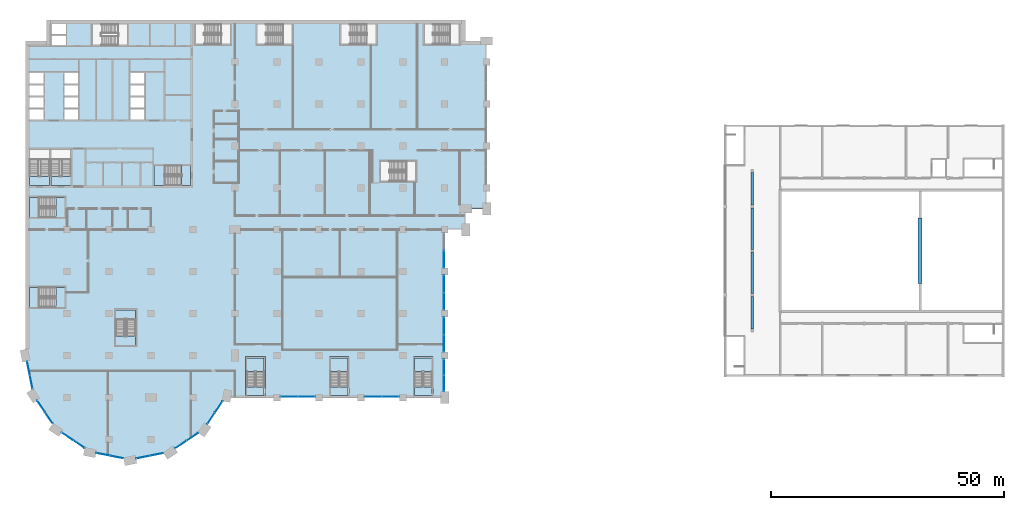
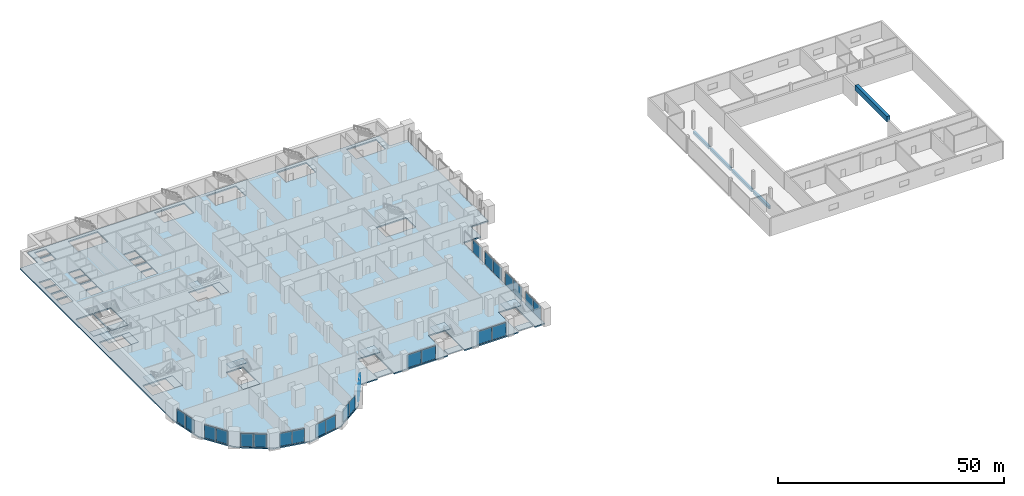
# One storey, part 8 of 31: 25 plates, 17 slabs, 5 beams, 20 elements without a shape of their own.
"""IFC4 building model written with IfcOpenShell, lengths in metres."""

from ifc_helpers import new_model, si_unit, direction, frame, origin, origin_2d, place, context, subcontext, project, spatial, polyline, rectangle, outline, extrude, material, layer, layer_set, material_profile, profile_set, type_object, element, aggregate, save


model = new_model("IFC4")

# Units and contexts
model_context = context("Model", 3, precision=1e-05, world=origin(), true_north=direction((0.0, 1.0)))
body_context = subcontext(model_context, "Body", "Model", "MODEL_VIEW")
ifc_project = project(units=[si_unit("LENGTHUNIT", "METRE"), si_unit("AREAUNIT", "SQUARE_METRE"), si_unit("VOLUMEUNIT", "CUBIC_METRE"), si_unit("PLANEANGLEUNIT", "RADIAN"), si_unit("MASSUNIT", "GRAM", prefix="KILO")], contexts=[model_context])

# Site, building, storey
site_placement = place(None, origin())
site = spatial("IfcSite", under=ifc_project, at=site_placement, CompositionType="ELEMENT")
building_placement = place(site_placement, origin())
building = spatial("IfcBuilding", under=site, at=building_placement, Name="Hunhe Ridgeline Campus", CompositionType="ELEMENT")
storey_placement = place(building_placement, frame((0.0, 0.0, 16.800048828125)))
storey = spatial("IfcBuildingStorey", under=building, at=storey_placement, Name="L03", CompositionType="ELEMENT", Elevation=16.800048828125)

# Beams
ifc_material_1 = material(Name="Concrete C40", Category="concrete")
ifc_material_profile_1 = material_profile(ifc_material_1, rectangle(XDim=0.5, YDim=0.800048828125, at=origin_2d()))
ifc_profile_set_1 = profile_set([ifc_material_profile_1], Name="Concrete C40")
beam_type_1 = type_object("IfcBeamType", Name="Hall RC gallery edge beam 500x800 C40", PredefinedType="BEAM", material=ifc_profile_set_1)
beam_1_placement = place(storey_placement, frame((156.0, 32.699951171875, -0.75), z_axis=(0.0, 1.0, 0.0), x_axis=(-1.0, 0.0, 0.0)))
element("IfcBeam", 1, at=beam_1_placement, inside=storey, type_object=beam_type_1, Name="Hall L03 gallery edge beam 1", PredefinedType="BEAM", context=body_context, shape_type="SweptSolid", body=[
    extrude(rectangle(XDim=0.5, YDim=0.800048828125, at=origin_2d()), origin(), (0.0, 0.0, 1.0), 7.0),
])
for number, where, z_axis, x_axis, name in (
    (2, (156.0, 40.300048828125, -0.75), (0.0, 1.0, 0.0), (-1.0, 0.0, 0.0), "Hall L03 gallery edge beam 2"),
    (3, (156.0, 49.800048828125, -0.75), (0.0, 1.0, 0.0), (-1.0, 0.0, 0.0), "Hall L03 gallery edge beam 3"),
):
    element("IfcBeam", number, at=place(storey_placement, frame(where, z_axis=z_axis, x_axis=x_axis)), inside=storey, type_object=beam_type_1, Name=name, PredefinedType="BEAM", context=body_context, shape_type="SweptSolid", body=[
        extrude(rectangle(XDim=0.5, YDim=0.800048828125, at=origin_2d()), origin(), (0.0, 0.0, 1.0), 8.89990234375),
    ])
beam_2_placement = place(storey_placement, frame((156.0, 59.300048828125, -0.75), z_axis=(0.0, 1.0, 0.0), x_axis=(-1.0, 0.0, 0.0)))
element("IfcBeam", 4, at=beam_2_placement, inside=storey, type_object=beam_type_1, Name="Hall L03 gallery edge beam 4", PredefinedType="BEAM", context=body_context, shape_type="SweptSolid", body=[
    extrude(rectangle(XDim=0.5, YDim=0.800048828125, at=origin_2d()), origin(), (0.0, 0.0, 1.0), 7.0),
])
ifc_material_2 = material(Name="Concrete C50", Category="concrete")
ifc_material_profile_2 = material_profile(ifc_material_2, rectangle(XDim=0.800048828125, YDim=1.5, at=origin_2d()))
ifc_profile_set_2 = profile_set([ifc_material_profile_2], Name="Concrete C50")
beam_type_2 = type_object("IfcBeamType", Name="Hall RC proscenium beam 800x1500 C50", PredefinedType="BEAM", material=ifc_profile_set_2)
beam_3_placement = place(storey_placement, frame((192.0, 42.5, 4.64990234375), z_axis=(0.0, 1.0, 0.0), x_axis=(-1.0, 0.0, 0.0)))
element("IfcBeam", 5, at=beam_3_placement, inside=storey, type_object=beam_type_2, Name="Proscenium beam", PredefinedType="BEAM", context=body_context, shape_type="SweptSolid", body=[
    extrude(rectangle(XDim=0.800048828125, YDim=1.5, at=origin_2d()), origin(), (0.0, 0.0, 1.0), 14.0),
])

# Curtain wall, plates
ifc_material_3 = material(Name="Aluminium and glass", Category="aluminium")
curtain_wall_type = type_object("IfcCurtainWallType", Name="Podium curtain wall CW-2", PredefinedType="NOTDEFINED", material=ifc_material_3)
curtain_wall_1_placement = place(storey_placement, origin())
curtain_wall_1 = element("IfcCurtainWall", 6, at=curtain_wall_1_placement, inside=storey, type_object=curtain_wall_type, Name="L03 podium curtain wall 9", PredefinedType="NOTDEFINED")
ifc_material_4 = material(Name="Clear glass", Category="glass")
ifc_layer_1 = layer(ifc_material_4, 0.028076171875)
ifc_layer_set_1 = layer_set([ifc_layer_1], Name="CW-2 clear glass panel 28")
plate_type = type_object("IfcPlateType", Name="CW-2 clear glass panel 28", PredefinedType="CURTAIN_PANEL", material=ifc_layer_set_1)
plate_1_placement = place(storey_placement, frame((0.69677734375, 24.265869140625, 0.06005859375), z_axis=(0.0, 0.0, 1.0), x_axis=(0.195098458454, -0.98078366193, 0.0)))
plate_1 = element("IfcPlate", 7, at=plate_1_placement, type_object=plate_type, Name="CW2 panel 1.1", PredefinedType="CURTAIN_PANEL", context=body_context, shape_type="SweptSolid", body=[
    extrude(rectangle(XDim=2.914794921875, YDim=0.028076171875, at=origin_2d()), origin(), (0.0, 0.0, 1.0), 3.530029296875),
])
plate_2_placement = place(storey_placement, frame((1.277099609375, 21.34814453125, 0.06005859375), z_axis=(0.0, 0.0, 1.0), x_axis=(0.195098458454, -0.98078366193, 0.0)))
plate_2 = element("IfcPlate", 8, at=plate_2_placement, type_object=plate_type, Name="CW2 panel 2.1", PredefinedType="CURTAIN_PANEL", context=body_context, shape_type="SweptSolid", body=[
    extrude(rectangle(XDim=2.914794921875, YDim=0.028076171875, at=origin_2d()), origin(), (0.0, 0.0, 1.0), 3.530029296875),
])
aggregate(curtain_wall_1, [plate_1, plate_2])

curtain_wall_2_placement = place(storey_placement, origin())
curtain_wall_2 = element("IfcCurtainWall", 9, at=curtain_wall_2_placement, inside=storey, type_object=curtain_wall_type, Name="L03 podium curtain wall 10", PredefinedType="NOTDEFINED")
plate_3_placement = place(storey_placement, frame((3.40283203125, 16.13037109375, 0.06005859375), z_axis=(0.0, 0.0, 1.0), x_axis=(0.555579224709, -0.831463604177, 0.0)))
plate_3 = element("IfcPlate", 10, at=plate_3_placement, type_object=plate_type, Name="CW2 panel 1.1", PredefinedType="CURTAIN_PANEL", context=body_context, shape_type="SweptSolid", body=[
    extrude(rectangle(XDim=2.914794921875, YDim=0.028076171875, at=origin_2d()), origin(), (0.0, 0.0, 1.0), 3.530029296875),
])
plate_4_placement = place(storey_placement, frame((5.055419921875, 13.65673828125, 0.06005859375), z_axis=(0.0, 0.0, 1.0), x_axis=(0.555579224709, -0.831463604177, 0.0)))
plate_4 = element("IfcPlate", 11, at=plate_4_placement, type_object=plate_type, Name="CW2 panel 2.1", PredefinedType="CURTAIN_PANEL", context=body_context, shape_type="SweptSolid", body=[
    extrude(rectangle(XDim=2.914794921875, YDim=0.028076171875, at=origin_2d()), origin(), (0.0, 0.0, 1.0), 3.530029296875),
])
aggregate(curtain_wall_2, [plate_3, plate_4])

curtain_wall_3_placement = place(storey_placement, origin())
curtain_wall_3 = element("IfcCurtainWall", 12, at=curtain_wall_3_placement, inside=storey, type_object=curtain_wall_type, Name="L03 podium curtain wall 11", PredefinedType="NOTDEFINED")
plate_5_placement = place(storey_placement, frame((9.01611328125, 9.649658203125, 0.06005859375), z_axis=(0.0, 0.0, 1.0), x_axis=(0.831468740176, -0.555571538247, 0.0)))
plate_5 = element("IfcPlate", 13, at=plate_5_placement, type_object=plate_type, Name="CW2 panel 1.1", PredefinedType="CURTAIN_PANEL", context=body_context, shape_type="SweptSolid", body=[
    extrude(rectangle(XDim=2.9150390625, YDim=0.028076171875, at=origin_2d()), origin(), (0.0, 0.0, 1.0), 3.530029296875),
])
plate_6_placement = place(storey_placement, frame((11.489501953125, 7.996826171875, 0.06005859375), z_axis=(0.0, 0.0, 1.0), x_axis=(0.831468740176, -0.555571538247, 0.0)))
plate_6 = element("IfcPlate", 14, at=plate_6_placement, type_object=plate_type, Name="CW2 panel 2.1", PredefinedType="CURTAIN_PANEL", context=body_context, shape_type="SweptSolid", body=[
    extrude(rectangle(XDim=2.9150390625, YDim=0.028076171875, at=origin_2d()), origin(), (0.0, 0.0, 1.0), 3.530029296875),
])
aggregate(curtain_wall_3, [plate_5, plate_6])

curtain_wall_4_placement = place(storey_placement, origin())
curtain_wall_4 = element("IfcCurtainWall", 15, at=curtain_wall_4_placement, inside=storey, type_object=curtain_wall_type, Name="L03 podium curtain wall 12", PredefinedType="NOTDEFINED")
plate_7_placement = place(storey_placement, frame((16.68212890625, 5.81005859375, 0.06005859375), z_axis=(0.0, 0.0, 1.0), x_axis=(0.980787479014, -0.195079268527, 0.0)))
plate_7 = element("IfcPlate", 16, at=plate_7_placement, type_object=plate_type, Name="CW2 panel 1.1", PredefinedType="CURTAIN_PANEL", context=body_context, shape_type="SweptSolid", body=[
    extrude(rectangle(XDim=2.9150390625, YDim=0.028076171875, at=origin_2d()), origin(), (0.0, 0.0, 1.0), 3.530029296875),
])
plate_8_placement = place(storey_placement, frame((19.60009765625, 5.229736328125, 0.06005859375), z_axis=(0.0, 0.0, 1.0), x_axis=(0.980787479014, -0.195079268527, 0.0)))
plate_8 = element("IfcPlate", 17, at=plate_8_placement, type_object=plate_type, Name="CW2 panel 2.1", PredefinedType="CURTAIN_PANEL", context=body_context, shape_type="SweptSolid", body=[
    extrude(rectangle(XDim=2.9150390625, YDim=0.028076171875, at=origin_2d()), origin(), (0.0, 0.0, 1.0), 3.530029296875),
])
aggregate(curtain_wall_4, [plate_7, plate_8])

curtain_wall_5_placement = place(storey_placement, origin())
curtain_wall_5 = element("IfcCurtainWall", 18, at=curtain_wall_5_placement, inside=storey, type_object=curtain_wall_type, Name="L03 podium curtain wall 13", PredefinedType="NOTDEFINED")
plate_9_placement = place(storey_placement, frame((25.234130859375, 5.19677734375, 0.06005859375), z_axis=(0.0, 0.0, 1.0), x_axis=(0.98078366193, 0.195098458454, 0.0)))
plate_9 = element("IfcPlate", 19, at=plate_9_placement, type_object=plate_type, Name="CW2 panel 1.1", PredefinedType="CURTAIN_PANEL", context=body_context, shape_type="SweptSolid", body=[
    extrude(rectangle(XDim=2.914794921875, YDim=0.028076171875, at=origin_2d()), origin(), (0.0, 0.0, 1.0), 3.530029296875),
])
plate_10_placement = place(storey_placement, frame((28.15185546875, 5.777099609375, 0.06005859375), z_axis=(0.0, 0.0, 1.0), x_axis=(0.98078366193, 0.195098458454, 0.0)))
plate_10 = element("IfcPlate", 20, at=plate_10_placement, type_object=plate_type, Name="CW2 panel 2.1", PredefinedType="CURTAIN_PANEL", context=body_context, shape_type="SweptSolid", body=[
    extrude(rectangle(XDim=2.914794921875, YDim=0.028076171875, at=origin_2d()), origin(), (0.0, 0.0, 1.0), 3.530029296875),
])
aggregate(curtain_wall_5, [plate_9, plate_10])

curtain_wall_6_placement = place(storey_placement, origin())
curtain_wall_6 = element("IfcCurtainWall", 21, at=curtain_wall_6_placement, inside=storey, type_object=curtain_wall_type, Name="L03 podium curtain wall 14", PredefinedType="NOTDEFINED")
plate_11_placement = place(storey_placement, frame((33.36962890625, 7.90283203125, 0.06005859375), z_axis=(0.0, 0.0, 1.0), x_axis=(0.831463604177, 0.555579224709, 0.0)))
plate_11 = element("IfcPlate", 22, at=plate_11_placement, type_object=plate_type, Name="CW2 panel 1.1", PredefinedType="CURTAIN_PANEL", context=body_context, shape_type="SweptSolid", body=[
    extrude(rectangle(XDim=2.914794921875, YDim=0.028076171875, at=origin_2d()), origin(), (0.0, 0.0, 1.0), 3.530029296875),
])
plate_12_placement = place(storey_placement, frame((35.84326171875, 9.555419921875, 0.06005859375), z_axis=(0.0, 0.0, 1.0), x_axis=(0.831463604177, 0.555579224709, 0.0)))
plate_12 = element("IfcPlate", 23, at=plate_12_placement, type_object=plate_type, Name="CW2 panel 2.1", PredefinedType="CURTAIN_PANEL", context=body_context, shape_type="SweptSolid", body=[
    extrude(rectangle(XDim=2.914794921875, YDim=0.028076171875, at=origin_2d()), origin(), (0.0, 0.0, 1.0), 3.530029296875),
])
aggregate(curtain_wall_6, [plate_11, plate_12])

curtain_wall_7_placement = place(storey_placement, origin())
curtain_wall_7 = element("IfcCurtainWall", 24, at=curtain_wall_7_placement, inside=storey, type_object=curtain_wall_type, Name="L03 podium curtain wall 15", PredefinedType="NOTDEFINED")
plate_13_placement = place(storey_placement, frame((39.850341796875, 13.51611328125, 0.06005859375), z_axis=(0.0, 0.0, 1.0), x_axis=(0.555571538247, 0.831468740176, 0.0)))
plate_13 = element("IfcPlate", 25, at=plate_13_placement, type_object=plate_type, Name="CW2 panel 1.1", PredefinedType="CURTAIN_PANEL", context=body_context, shape_type="SweptSolid", body=[
    extrude(rectangle(XDim=2.9150390625, YDim=0.028076171875, at=origin_2d()), origin(), (0.0, 0.0, 1.0), 3.530029296875),
])
plate_14_placement = place(storey_placement, frame((41.503173828125, 15.989501953125, 0.06005859375), z_axis=(0.0, 0.0, 1.0), x_axis=(0.555571538247, 0.831468740176, 0.0)))
plate_14 = element("IfcPlate", 26, at=plate_14_placement, type_object=plate_type, Name="CW2 panel 2.1", PredefinedType="CURTAIN_PANEL", context=body_context, shape_type="SweptSolid", body=[
    extrude(rectangle(XDim=2.9150390625, YDim=0.028076171875, at=origin_2d()), origin(), (0.0, 0.0, 1.0), 3.530029296875),
])
aggregate(curtain_wall_7, [plate_13, plate_14])

curtain_wall_8_placement = place(storey_placement, origin())
curtain_wall_8 = element("IfcCurtainWall", 27, at=curtain_wall_8_placement, inside=storey, type_object=curtain_wall_type, Name="L03 podium curtain wall 17", PredefinedType="NOTDEFINED")
plate_15_placement = place(storey_placement, frame((56.639892578125, 18.14990234375, 0.06005859375), z_axis=(0.0, 0.0, 1.0), x_axis=(1.0, 0.0, 0.0)))
plate_15 = element("IfcPlate", 28, at=plate_15_placement, type_object=plate_type, Name="CW2 panel 1.1", PredefinedType="CURTAIN_PANEL", context=body_context, shape_type="SweptSolid", body=[
    extrude(rectangle(XDim=3.659912109375, YDim=0.028076171875, at=origin_2d()), origin(), (0.0, 0.0, 1.0), 3.530029296875),
])
plate_16_placement = place(storey_placement, frame((60.360107421875, 18.14990234375, 0.06005859375), z_axis=(0.0, 0.0, 1.0), x_axis=(1.0, 0.0, 0.0)))
plate_16 = element("IfcPlate", 29, at=plate_16_placement, type_object=plate_type, Name="CW2 panel 2.1", PredefinedType="CURTAIN_PANEL", context=body_context, shape_type="SweptSolid", body=[
    extrude(rectangle(XDim=3.659912109375, YDim=0.028076171875, at=origin_2d()), origin(), (0.0, 0.0, 1.0), 3.530029296875),
])
aggregate(curtain_wall_8, [plate_15, plate_16])

curtain_wall_9_placement = place(storey_placement, origin())
curtain_wall_9 = element("IfcCurtainWall", 30, at=curtain_wall_9_placement, inside=storey, type_object=curtain_wall_type, Name="L03 podium curtain wall 19", PredefinedType="NOTDEFINED")
plate_17_placement = place(storey_placement, frame((74.639892578125, 18.14990234375, 0.06005859375), z_axis=(0.0, 0.0, 1.0), x_axis=(1.0, 0.0, 0.0)))
plate_17 = element("IfcPlate", 31, at=plate_17_placement, type_object=plate_type, Name="CW2 panel 1.1", PredefinedType="CURTAIN_PANEL", context=body_context, shape_type="SweptSolid", body=[
    extrude(rectangle(XDim=3.659912109375, YDim=0.028076171875, at=origin_2d()), origin(), (0.0, 0.0, 1.0), 3.530029296875),
])
plate_18_placement = place(storey_placement, frame((78.360107421875, 18.14990234375, 0.06005859375), z_axis=(0.0, 0.0, 1.0), x_axis=(1.0, 0.0, 0.0)))
plate_18 = element("IfcPlate", 32, at=plate_18_placement, type_object=plate_type, Name="CW2 panel 2.1", PredefinedType="CURTAIN_PANEL", context=body_context, shape_type="SweptSolid", body=[
    extrude(rectangle(XDim=3.659912109375, YDim=0.028076171875, at=origin_2d()), origin(), (0.0, 0.0, 1.0), 3.530029296875),
])
aggregate(curtain_wall_9, [plate_17, plate_18])

curtain_wall_10_placement = place(storey_placement, origin())
curtain_wall_10 = element("IfcCurtainWall", 33, at=curtain_wall_10_placement, inside=storey, type_object=curtain_wall_type, Name="L03 podium curtain wall 21", PredefinedType="NOTDEFINED")
plate_19_placement = place(storey_placement, frame((89.85009765625, 21.052490234375, 0.06005859375), z_axis=(0.0, 0.0, 1.0), x_axis=(0.0, 1.0, 0.0)))
plate_19 = element("IfcPlate", 34, at=plate_19_placement, type_object=plate_type, Name="CW2 panel 1.1", PredefinedType="CURTAIN_PANEL", context=body_context, shape_type="SweptSolid", body=[
    extrude(rectangle(XDim=3.385009765625, YDim=0.028076171875, at=origin_2d()), origin(), (0.0, 0.0, 1.0), 3.530029296875),
])
plate_20_placement = place(storey_placement, frame((89.85009765625, 24.49755859375, 0.06005859375), z_axis=(0.0, 0.0, 1.0), x_axis=(0.0, 1.0, 0.0)))
plate_20 = element("IfcPlate", 35, at=plate_20_placement, type_object=plate_type, Name="CW2 panel 2.1", PredefinedType="CURTAIN_PANEL", context=body_context, shape_type="SweptSolid", body=[
    extrude(rectangle(XDim=3.385009765625, YDim=0.028076171875, at=origin_2d()), origin(), (0.0, 0.0, 1.0), 3.530029296875),
])
aggregate(curtain_wall_10, [plate_19, plate_20])

curtain_wall_11_placement = place(storey_placement, origin())
curtain_wall_11 = element("IfcCurtainWall", 36, at=curtain_wall_11_placement, inside=storey, type_object=curtain_wall_type, Name="L03 podium curtain wall 22", PredefinedType="NOTDEFINED")
plate_21_placement = place(storey_placement, frame((89.85009765625, 29.639892578125, 0.06005859375), z_axis=(0.0, 0.0, 1.0), x_axis=(0.0, 1.0, 0.0)))
plate_21 = element("IfcPlate", 37, at=plate_21_placement, type_object=plate_type, Name="CW2 panel 1.1", PredefinedType="CURTAIN_PANEL", context=body_context, shape_type="SweptSolid", body=[
    extrude(rectangle(XDim=3.659912109375, YDim=0.028076171875, at=origin_2d()), origin(), (0.0, 0.0, 1.0), 3.530029296875),
])
plate_22_placement = place(storey_placement, frame((89.85009765625, 33.360107421875, 0.06005859375), z_axis=(0.0, 0.0, 1.0), x_axis=(0.0, 1.0, 0.0)))
plate_22 = element("IfcPlate", 38, at=plate_22_placement, type_object=plate_type, Name="CW2 panel 2.1", PredefinedType="CURTAIN_PANEL", context=body_context, shape_type="SweptSolid", body=[
    extrude(rectangle(XDim=3.659912109375, YDim=0.028076171875, at=origin_2d()), origin(), (0.0, 0.0, 1.0), 3.530029296875),
])
aggregate(curtain_wall_11, [plate_21, plate_22])

curtain_wall_12_placement = place(storey_placement, origin())
curtain_wall_12 = element("IfcCurtainWall", 39, at=curtain_wall_12_placement, inside=storey, type_object=curtain_wall_type, Name="L03 podium curtain wall 23", PredefinedType="NOTDEFINED")
plate_23_placement = place(storey_placement, frame((89.85009765625, 38.639892578125, 0.06005859375), z_axis=(0.0, 0.0, 1.0), x_axis=(0.0, 1.0, 0.0)))
plate_23 = element("IfcPlate", 40, at=plate_23_placement, type_object=plate_type, Name="CW2 panel 1.1", PredefinedType="CURTAIN_PANEL", context=body_context, shape_type="SweptSolid", body=[
    extrude(rectangle(XDim=3.659912109375, YDim=0.028076171875, at=origin_2d()), origin(), (0.0, 0.0, 1.0), 3.530029296875),
])
plate_24_placement = place(storey_placement, frame((89.85009765625, 42.360107421875, 0.06005859375), z_axis=(0.0, 0.0, 1.0), x_axis=(0.0, 1.0, 0.0)))
plate_24 = element("IfcPlate", 41, at=plate_24_placement, type_object=plate_type, Name="CW2 panel 2.1", PredefinedType="CURTAIN_PANEL", context=body_context, shape_type="SweptSolid", body=[
    extrude(rectangle(XDim=3.659912109375, YDim=0.028076171875, at=origin_2d()), origin(), (0.0, 0.0, 1.0), 3.530029296875),
])
aggregate(curtain_wall_12, [plate_23, plate_24])

# Curtain wall, plate
curtain_wall_13_placement = place(storey_placement, origin())
curtain_wall_13 = element("IfcCurtainWall", 42, at=curtain_wall_13_placement, inside=storey, type_object=curtain_wall_type, Name="L03 podium curtain wall 24", PredefinedType="NOTDEFINED")
plate_25_placement = place(storey_placement, frame((89.85009765625, 47.639892578125, 0.06005859375), z_axis=(0.0, 0.0, 1.0), x_axis=(0.0, 1.0, 0.0)))
plate_25 = element("IfcPlate", 43, at=plate_25_placement, type_object=plate_type, Name="CW2 panel 1.1", PredefinedType="CURTAIN_PANEL", context=body_context, shape_type="SweptSolid", body=[
    extrude(rectangle(XDim=3.659912109375, YDim=0.028076171875, at=origin_2d()), origin(), (0.0, 0.0, 1.0), 3.530029296875),
])
aggregate(curtain_wall_13, [plate_25])

# Slab
ifc_layer_2 = layer(ifc_material_1, 0.35009765625)
ifc_layer_set_2 = layer_set([ifc_layer_2], Name="Podium floor slab 350 C40")
slab_type_1 = type_object("IfcSlabType", Name="Podium floor slab 350 C40", PredefinedType="FLOOR", material=ifc_layer_set_2)
slab_1_placement = place(storey_placement, frame((0.0, 0.0, -0.35009765625)))
element("IfcSlab", 44, at=slab_1_placement, inside=storey, type_object=slab_type_1, Name="L03 floor slab 1", PredefinedType="FLOOR", context=body_context, shape_type="SweptSolid", body=[
    extrude(outline(polyline([(90.0, 18.0), (90.0, 54.0), (94.5, 54.0), (94.5, 58.5), (99.0, 58.5), (99.0, 94.5), (94.5, 94.5), (94.5, 99.0), (4.5, 99.0), (4.5, 94.5), (0.0, 94.5), (0.0, 27.0), (1.712646484375, 18.3896484375), (6.590087890625, 11.090087890625), (13.8896484375, 6.212646484375), (22.5, 4.5), (31.1103515625, 6.212646484375), (38.409912109375, 11.090087890625), (43.027099609375, 18.0), (47.25, 18.0), (47.25, 26.75), (51.5, 26.75), (51.5, 18.0), (65.25, 18.0), (65.25, 26.75), (69.5, 26.75), (69.5, 18.0), (83.25, 18.0), (83.25, 26.75), (87.5, 26.75), (87.5, 18.0), (90.0, 18.0)]), holes=[polyline([(0.89990234375, 41.64990234375), (0.89990234375, 37.35009765625), (8.5, 37.35009765625), (8.5, 41.64990234375), (0.89990234375, 41.64990234375)]), polyline([(8.5, 60.949951171875), (0.89990234375, 60.949951171875), (0.89990234375, 56.64990234375), (8.5, 56.64990234375), (8.5, 60.949951171875)]), polyline([(5.199951171875, 63.5), (5.199951171875, 71.25), (0.89990234375, 71.25), (0.89990234375, 63.5), (5.199951171875, 63.5)]), polyline([(9.800048828125, 63.5), (9.800048828125, 71.25), (5.5, 71.25), (5.5, 63.5), (9.800048828125, 63.5)]), polyline([(0.89990234375, 77.550048828125), (3.89990234375, 77.550048828125), (3.89990234375, 79.85009765625), (0.89990234375, 79.85009765625), (0.89990234375, 77.550048828125)]), polyline([(8.39990234375, 77.550048828125), (11.39990234375, 77.550048828125), (11.39990234375, 79.85009765625), (8.39990234375, 79.85009765625), (8.39990234375, 77.550048828125)]), polyline([(0.89990234375, 80.14990234375), (3.89990234375, 80.14990234375), (3.89990234375, 82.449951171875), (0.89990234375, 82.449951171875), (0.89990234375, 80.14990234375)]), polyline([(11.39990234375, 80.14990234375), (11.39990234375, 82.449951171875), (8.39990234375, 82.449951171875), (8.39990234375, 80.14990234375), (11.39990234375, 80.14990234375)]), polyline([(0.89990234375, 82.75), (3.89990234375, 82.75), (3.89990234375, 85.050048828125), (0.89990234375, 85.050048828125), (0.89990234375, 82.75)]), polyline([(8.39990234375, 82.75), (11.39990234375, 82.75), (11.39990234375, 85.050048828125), (8.39990234375, 85.050048828125), (8.39990234375, 82.75)]), polyline([(0.89990234375, 85.35009765625), (3.89990234375, 85.35009765625), (3.89990234375, 87.64990234375), (0.89990234375, 87.64990234375), (0.89990234375, 85.35009765625)]), polyline([(8.39990234375, 85.35009765625), (11.39990234375, 85.35009765625), (11.39990234375, 87.64990234375), (8.39990234375, 87.64990234375), (8.39990234375, 85.35009765625)]), polyline([(5.699951171875, 93.60009765625), (8.699951171875, 93.60009765625), (8.699951171875, 95.60009765625), (5.699951171875, 95.60009765625), (5.699951171875, 93.60009765625)]), polyline([(14.35009765625, 93.60009765625), (21.949951171875, 93.60009765625), (21.949951171875, 98.10009765625), (14.35009765625, 98.10009765625), (14.35009765625, 93.60009765625)]), polyline([(8.699951171875, 95.89990234375), (8.699951171875, 98.10009765625), (5.699951171875, 98.10009765625), (5.699951171875, 95.89990234375), (8.699951171875, 95.89990234375)]), polyline([(23.699951171875, 29.199951171875), (23.699951171875, 36.800048828125), (19.39990234375, 36.800048828125), (19.39990234375, 29.199951171875), (23.699951171875, 29.199951171875)]), polyline([(35.5, 67.75), (27.60009765625, 67.75), (27.60009765625, 63.5), (35.5, 63.5), (35.5, 67.75)]), polyline([(76.199951171875, 64.39990234375), (83.800048828125, 64.39990234375), (83.800048828125, 68.699951171875), (76.199951171875, 68.699951171875), (76.199951171875, 64.39990234375)]), polyline([(22.5, 77.550048828125), (25.5, 77.550048828125), (25.5, 79.85009765625), (22.5, 79.85009765625), (22.5, 77.550048828125)]), polyline([(22.5, 80.14990234375), (25.5, 80.14990234375), (25.5, 82.449951171875), (22.5, 82.449951171875), (22.5, 80.14990234375)]), polyline([(22.5, 82.75), (25.5, 82.75), (25.5, 85.050048828125), (22.5, 85.050048828125), (22.5, 82.75)]), polyline([(22.5, 85.35009765625), (25.5, 85.35009765625), (25.5, 87.64990234375), (22.5, 87.64990234375), (22.5, 85.35009765625)]), polyline([(36.449951171875, 93.800048828125), (44.050048828125, 93.800048828125), (44.050048828125, 98.10009765625), (36.449951171875, 98.10009765625), (36.449951171875, 93.800048828125)]), polyline([(49.699951171875, 93.800048828125), (57.300048828125, 93.800048828125), (57.300048828125, 98.10009765625), (49.699951171875, 98.10009765625), (49.699951171875, 93.800048828125)]), polyline([(67.699951171875, 93.800048828125), (75.300048828125, 93.800048828125), (75.300048828125, 98.10009765625), (67.699951171875, 98.10009765625), (67.699951171875, 93.800048828125)]), polyline([(85.550048828125, 93.800048828125), (93.14990234375, 93.800048828125), (93.14990234375, 98.10009765625), (85.550048828125, 98.10009765625), (85.550048828125, 93.800048828125)])]), origin(), (0.0, 0.0, 1.0), 0.35009765625),
])

# Stair, slabs
stair_type_1 = type_object("IfcStairType", Name="Podium exit stair 1800", PredefinedType="HALF_TURN_STAIR", material=ifc_material_1)
stair_1_placement = place(storey_placement, origin())
stair_1 = element("IfcStair", 45, at=stair_1_placement, inside=storey, type_object=stair_type_1, Name="L03 podium stair PS1", PredefinedType="HALF_TURN_STAIR")
ifc_layer_3 = layer(ifc_material_1, 0.199951171875)
ifc_layer_set_3 = layer_set([ifc_layer_3], Name="Podium stair landing 200 C40")
slab_type_2 = type_object("IfcSlabType", Name="Podium stair landing 200 C40", PredefinedType="LANDING", material=ifc_layer_set_3)
slab_2_placement = place(storey_placement, frame((0.0, 0.0, 2.199951171875)))
slab_2 = element("IfcSlab", 46, at=slab_2_placement, type_object=slab_type_2, Name="PS1 landing 1", PredefinedType="LANDING", context=body_context, shape_type="SweptSolid", body=[
    extrude(outline(polyline([(51.25, 23.580078125), (51.25, 26.5), (47.5, 26.5), (47.5, 23.580078125), (51.25, 23.580078125)])), origin(), (0.0, 0.0, 1.0), 0.199951171875),
])
slab_3_placement = place(storey_placement, frame((0.0, 0.0, -0.199951171875)))
slab_3 = element("IfcSlab", 47, at=slab_3_placement, type_object=slab_type_2, Name="PS1 landing 2", PredefinedType="LANDING", context=body_context, shape_type="SweptSolid", body=[
    extrude(outline(polyline([(47.5, 18.39990234375), (51.25, 18.39990234375), (51.25, 20.199951171875), (47.5, 20.199951171875), (47.5, 18.39990234375)])), origin(), (0.0, 0.0, 1.0), 0.199951171875),
])
aggregate(stair_1, [slab_2, slab_3])

stair_2_placement = place(storey_placement, origin())
stair_2 = element("IfcStair", 48, at=stair_2_placement, inside=storey, type_object=stair_type_1, Name="L03 podium stair PS2", PredefinedType="HALF_TURN_STAIR")
slab_4_placement = place(storey_placement, frame((0.0, 0.0, 2.199951171875)))
slab_4 = element("IfcSlab", 49, at=slab_4_placement, type_object=slab_type_2, Name="PS2 landing 1", PredefinedType="LANDING", context=body_context, shape_type="SweptSolid", body=[
    extrude(outline(polyline([(69.25, 23.580078125), (69.25, 26.5), (65.5, 26.5), (65.5, 23.580078125), (69.25, 23.580078125)])), origin(), (0.0, 0.0, 1.0), 0.199951171875),
])
slab_5_placement = place(storey_placement, frame((0.0, 0.0, -0.199951171875)))
slab_5 = element("IfcSlab", 50, at=slab_5_placement, type_object=slab_type_2, Name="PS2 landing 2", PredefinedType="LANDING", context=body_context, shape_type="SweptSolid", body=[
    extrude(outline(polyline([(65.5, 18.39990234375), (69.25, 18.39990234375), (69.25, 20.199951171875), (65.5, 20.199951171875), (65.5, 18.39990234375)])), origin(), (0.0, 0.0, 1.0), 0.199951171875),
])
aggregate(stair_2, [slab_4, slab_5])

stair_3_placement = place(storey_placement, origin())
stair_3 = element("IfcStair", 51, at=stair_3_placement, inside=storey, type_object=stair_type_1, Name="L03 podium stair PS3", PredefinedType="HALF_TURN_STAIR")
slab_6_placement = place(storey_placement, frame((0.0, 0.0, 2.199951171875)))
slab_6 = element("IfcSlab", 52, at=slab_6_placement, type_object=slab_type_2, Name="PS3 landing 1", PredefinedType="LANDING", context=body_context, shape_type="SweptSolid", body=[
    extrude(outline(polyline([(87.25, 23.580078125), (87.25, 26.5), (83.5, 26.5), (83.5, 23.580078125), (87.25, 23.580078125)])), origin(), (0.0, 0.0, 1.0), 0.199951171875),
])
slab_7_placement = place(storey_placement, frame((0.0, 0.0, -0.199951171875)))
slab_7 = element("IfcSlab", 53, at=slab_7_placement, type_object=slab_type_2, Name="PS3 landing 2", PredefinedType="LANDING", context=body_context, shape_type="SweptSolid", body=[
    extrude(outline(polyline([(83.5, 18.39990234375), (87.25, 18.39990234375), (87.25, 20.199951171875), (83.5, 20.199951171875), (83.5, 18.39990234375)])), origin(), (0.0, 0.0, 1.0), 0.199951171875),
])
aggregate(stair_3, [slab_6, slab_7])

# Stair, slab
stair_type_2 = type_object("IfcStairType", Name="Reinforced concrete dog-leg stair 1950 Concrete C40", PredefinedType="HALF_TURN_STAIR", material=ifc_material_1)
stair_4_placement = place(storey_placement, origin())
stair_4 = element("IfcStair", 54, at=stair_4_placement, inside=storey, type_object=stair_type_2, Name="L03 S2", PredefinedType="HALF_TURN_STAIR")
ifc_layer_4 = layer(ifc_material_1, 0.199951171875)
ifc_layer_set_4 = layer_set([ifc_layer_4], Name="Reinforced concrete stair landing 200 Concrete C40")
slab_type_3 = type_object("IfcSlabType", Name="Reinforced concrete stair landing 200 Concrete C40", PredefinedType="LANDING", material=ifc_layer_set_4)
slab_8_placement = place(storey_placement, frame((0.0, 0.0, 2.199951171875)))
slab_8 = element("IfcSlab", 55, at=slab_8_placement, type_object=slab_type_3, Name="ST2 landing 1", PredefinedType="LANDING", context=body_context, shape_type="SweptSolid", body=[
    extrude(outline(polyline([(29.909912109375, 67.75), (27.60009765625, 67.75), (27.60009765625, 63.5), (29.909912109375, 63.5), (29.909912109375, 67.75)])), origin(), (0.0, 0.0, 1.0), 0.199951171875),
])
aggregate(stair_4, [slab_8])

# Slabs
slab_9_placement = place(storey_placement, frame((0.0, 0.0, -0.199951171875)))
element("IfcSlab", 56, at=slab_9_placement, inside=storey, type_object=slab_type_3, Name="L03 stair S2 floor landing", PredefinedType="LANDING", context=body_context, shape_type="SweptSolid", body=[
    extrude(outline(polyline([(35.5, 67.75), (33.550048828125, 67.75), (33.550048828125, 63.5), (35.5, 63.5), (35.5, 67.75)])), origin(), (0.0, 0.0, 1.0), 0.199951171875),
])
slab_10_placement = place(storey_placement, frame((0.0, 0.0, -0.199951171875)))
element("IfcSlab", 57, at=slab_10_placement, inside=storey, type_object=slab_type_3, Name="L03 stair S3 floor landing", PredefinedType="LANDING", context=body_context, shape_type="SweptSolid", body=[
    extrude(outline(polyline([(5.199951171875, 63.5), (5.199951171875, 65.449951171875), (0.89990234375, 65.449951171875), (0.89990234375, 63.5), (5.199951171875, 63.5)])), origin(), (0.0, 0.0, 1.0), 0.199951171875),
])
slab_11_placement = place(storey_placement, frame((0.0, 0.0, -0.199951171875)))
element("IfcSlab", 58, at=slab_11_placement, inside=storey, type_object=slab_type_3, Name="L03 stair S4 floor landing", PredefinedType="LANDING", context=body_context, shape_type="SweptSolid", body=[
    extrude(outline(polyline([(9.800048828125, 63.5), (9.800048828125, 65.449951171875), (5.5, 65.449951171875), (5.5, 63.5), (9.800048828125, 63.5)])), origin(), (0.0, 0.0, 1.0), 0.199951171875),
])

# Stair, slab
stair_5_placement = place(storey_placement, origin())
stair_5 = element("IfcStair", 59, at=stair_5_placement, inside=storey, type_object=stair_type_2, Name="L03 W3", PredefinedType="HALF_TURN_STAIR")
slab_12_placement = place(storey_placement, frame((0.0, 0.0, 2.199951171875)))
slab_12 = element("IfcSlab", 60, at=slab_12_placement, type_object=slab_type_3, Name="ST9 landing 1", PredefinedType="LANDING", context=body_context, shape_type="SweptSolid", body=[
    extrude(outline(polyline([(23.699951171875, 34.7900390625), (23.699951171875, 36.800048828125), (19.39990234375, 36.800048828125), (19.39990234375, 34.7900390625), (23.699951171875, 34.7900390625)])), origin(), (0.0, 0.0, 1.0), 0.199951171875),
])
aggregate(stair_5, [slab_12])

# Slab
slab_13_placement = place(storey_placement, frame((0.0, 0.0, -0.199951171875)))
element("IfcSlab", 61, at=slab_13_placement, inside=storey, type_object=slab_type_3, Name="L03 stair W3 floor landing", PredefinedType="LANDING", context=body_context, shape_type="SweptSolid", body=[
    extrude(outline(polyline([(23.699951171875, 29.199951171875), (23.699951171875, 31.14990234375), (19.39990234375, 31.14990234375), (19.39990234375, 29.199951171875), (23.699951171875, 29.199951171875)])), origin(), (0.0, 0.0, 1.0), 0.199951171875),
])

# Stair, slab
stair_6_placement = place(storey_placement, origin())
stair_6 = element("IfcStair", 62, at=stair_6_placement, inside=storey, type_object=stair_type_2, Name="L03 W1", PredefinedType="HALF_TURN_STAIR")
slab_14_placement = place(storey_placement, frame((0.0, 0.0, 2.199951171875)))
slab_14 = element("IfcSlab", 63, at=slab_14_placement, type_object=slab_type_3, Name="ST11 landing 1", PredefinedType="LANDING", context=body_context, shape_type="SweptSolid", body=[
    extrude(outline(polyline([(2.909912109375, 41.64990234375), (0.89990234375, 41.64990234375), (0.89990234375, 37.35009765625), (2.909912109375, 37.35009765625), (2.909912109375, 41.64990234375)])), origin(), (0.0, 0.0, 1.0), 0.199951171875),
])
aggregate(stair_6, [slab_14])

# Slab
slab_15_placement = place(storey_placement, frame((0.0, 0.0, -0.199951171875)))
element("IfcSlab", 64, at=slab_15_placement, inside=storey, type_object=slab_type_3, Name="L03 stair W1 floor landing", PredefinedType="LANDING", context=body_context, shape_type="SweptSolid", body=[
    extrude(outline(polyline([(8.5, 41.64990234375), (6.550048828125, 41.64990234375), (6.550048828125, 37.35009765625), (8.5, 37.35009765625), (8.5, 41.64990234375)])), origin(), (0.0, 0.0, 1.0), 0.199951171875),
])

# Stair, slab
stair_7_placement = place(storey_placement, origin())
stair_7 = element("IfcStair", 65, at=stair_7_placement, inside=storey, type_object=stair_type_2, Name="L03 W2", PredefinedType="HALF_TURN_STAIR")
slab_16_placement = place(storey_placement, frame((0.0, 0.0, 2.199951171875)))
slab_16 = element("IfcSlab", 66, at=slab_16_placement, type_object=slab_type_3, Name="ST12 landing 1", PredefinedType="LANDING", context=body_context, shape_type="SweptSolid", body=[
    extrude(outline(polyline([(2.909912109375, 60.949951171875), (0.89990234375, 60.949951171875), (0.89990234375, 56.64990234375), (2.909912109375, 56.64990234375), (2.909912109375, 60.949951171875)])), origin(), (0.0, 0.0, 1.0), 0.199951171875),
])
aggregate(stair_7, [slab_16])

# Slab
slab_17_placement = place(storey_placement, frame((0.0, 0.0, -0.199951171875)))
element("IfcSlab", 67, at=slab_17_placement, inside=storey, type_object=slab_type_3, Name="L03 stair W2 floor landing", PredefinedType="LANDING", context=body_context, shape_type="SweptSolid", body=[
    extrude(outline(polyline([(8.5, 60.949951171875), (6.550048828125, 60.949951171875), (6.550048828125, 56.64990234375), (8.5, 56.64990234375), (8.5, 60.949951171875)])), origin(), (0.0, 0.0, 1.0), 0.199951171875),
])

save(model, "model.ifc")
